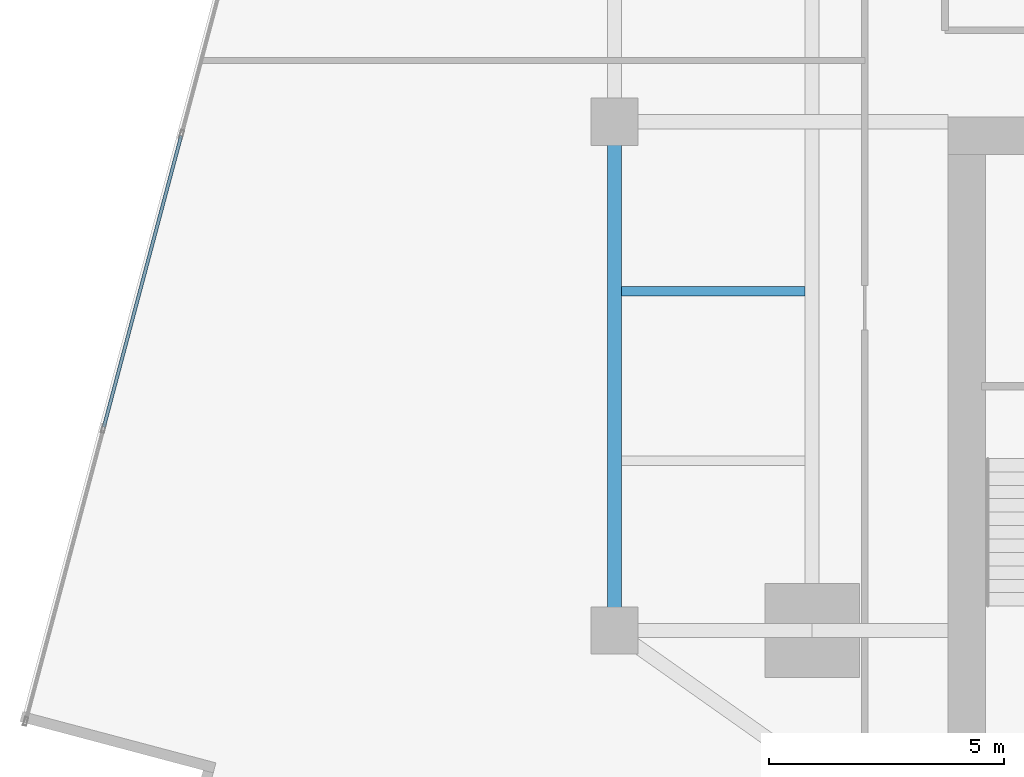
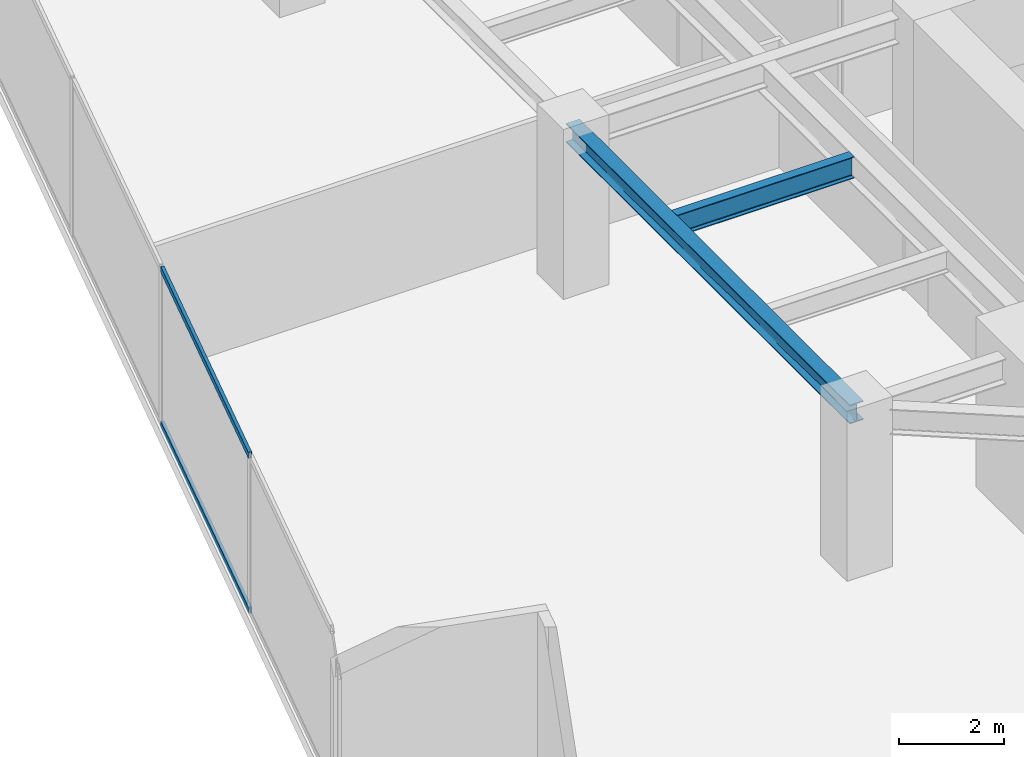
# One storey, part 7 of 27: 2 beams, 2 members, 1 element without a shape of its own.
"""IFC4 building model written with IfcOpenShell, lengths in metres."""

from ifc_helpers import new_model, si_unit, direction, frame, origin, origin_2d, place, context, subcontext, project, spatial, hollow_rectangle, i_section, extrude, source, transform, mapped, material, material_profile, profile_set, type_object, type_shapes, element, aggregate, save


model = new_model("IFC4")

# Units and contexts
model_context = context("Model", 3, precision=1e-05, world=origin(), true_north=direction((0.0, 1.0)))
body_context = subcontext(model_context, "Body", "Model", "MODEL_VIEW")
ifc_project = project(units=[si_unit("LENGTHUNIT", "METRE"), si_unit("AREAUNIT", "SQUARE_METRE"), si_unit("VOLUMEUNIT", "CUBIC_METRE"), si_unit("PLANEANGLEUNIT", "RADIAN"), si_unit("MASSUNIT", "GRAM", prefix="KILO")], contexts=[model_context])

# Site, building, storey
site_placement = place(None, origin())
site = spatial("IfcSite", under=ifc_project, at=site_placement, CompositionType="ELEMENT")
building_placement = place(site_placement, origin())
building = spatial("IfcBuilding", under=site, at=building_placement, Name="Krantzveldt Concourse Tower", CompositionType="ELEMENT")
storey_placement = place(building_placement, frame((0.0, 0.0, 97.949951171875)))
storey = spatial("IfcBuildingStorey", under=building, at=storey_placement, Name="L23", CompositionType="ELEMENT", Elevation=97.949951171875)

# Beams
ifc_material_1 = material(Name="Steel S355JR", Category="steel")
ifc_material_profile_1 = material_profile(ifc_material_1, i_section(OverallWidth=0.300048828125, OverallDepth=0.43994140625, WebThickness=0.011474609375, FlangeThickness=0.02099609375, FilletRadius=0.027099609375, at=origin_2d()), Name="Steel S355JR", Category="steel")
ifc_profile_set_1 = profile_set([ifc_material_profile_1], Name="Steel S355JR - HEA 450")
beam_type_1 = type_object("IfcBeamType", Name="BM-SP-HEA450", PredefinedType="SPANDREL", material=ifc_profile_set_1)
shared_shape_1 = source(origin(), body_context, "Body", "SweptSolid", [
    extrude(i_section(OverallWidth=0.300048828125, OverallDepth=0.43994140625, WebThickness=0.011474609375, FlangeThickness=0.02099609375, FilletRadius=0.027099609375, at=origin_2d()), origin(), (0.0, 0.0, 1.0), 10.800048828125),
])
type_shapes(beam_type_1, [shared_shape_1])
beam_1_placement = place(storey_placement, frame((21.0, 15.89990234375, 3.449951171875), z_axis=(0.0, 1.0, 0.0), x_axis=(-1.0, 0.0, 0.0)))
element("IfcBeam", 1, at=beam_1_placement, inside=storey, type_object=beam_type_1, Name="L23 Tower Girder SP-R01", PredefinedType="SPANDREL", context=body_context, shape_type="MappedRepresentation", body=[
    mapped(shared_shape_1, transform((0.0, 0.0, 0.0), x_axis=(1.0, 0.0, 0.0), y_axis=(0.0, 1.0, 0.0), z_axis=(0.0, 0.0, 1.0), scale=1.0)),
])
ifc_material_profile_2 = material_profile(ifc_material_1, i_section(OverallWidth=0.199951171875, OverallDepth=0.5, WebThickness=0.01025390625, FlangeThickness=0.01611328125, FilletRadius=0.02099609375, at=origin_2d()), Name="Steel S355JR", Category="steel")
ifc_profile_set_2 = profile_set([ifc_material_profile_2], Name="Steel S355JR - IPE 500")
beam_type_2 = type_object("IfcBeamType", Name="BM-J-IPE500", PredefinedType="JOIST", material=ifc_profile_set_2)
shared_shape_2 = source(origin(), body_context, "Body", "SweptSolid", [
    extrude(i_section(OverallWidth=0.199951171875, OverallDepth=0.5, WebThickness=0.01025390625, FlangeThickness=0.01611328125, FilletRadius=0.02099609375, at=origin_2d()), origin(), (0.0, 0.0, 1.0), 3.900146484375),
])
type_shapes(beam_type_2, [shared_shape_2])
beam_2_placement = place(storey_placement, frame((21.14990234375, 23.10009765625, 3.420166015625), z_axis=(1.0, 0.0, 0.0), x_axis=(0.0, 1.0, 0.0)))
element("IfcBeam", 2, at=beam_2_placement, inside=storey, type_object=beam_type_2, Name="L23 Secondary Floor Joist JW-2", PredefinedType="JOIST", context=body_context, shape_type="MappedRepresentation", body=[
    mapped(shared_shape_2, transform((0.0, 0.0, 0.0), x_axis=(1.0, 0.0, 0.0), y_axis=(0.0, 1.0, 0.0), z_axis=(0.0, 0.0, 1.0), scale=1.0)),
])

# Curtain wall, members
ifc_material_2 = material(Name="Anodised aluminium 6063-T6", Category="aluminium")
curtain_wall_type = type_object("IfcCurtainWallType", Name="CW2", PredefinedType="USERDEFINED", material=ifc_material_2)
curtain_wall_placement = place(storey_placement, origin())
curtain_wall = element("IfcCurtainWall", 3, at=curtain_wall_placement, inside=storey, type_object=curtain_wall_type, Name="CW-L23-F01", ObjectType="UNITISED CURTAIN WALL", PredefinedType="USERDEFINED")
ifc_material_profile_3 = material_profile(ifc_material_2, hollow_rectangle(XDim=0.070068359375, YDim=0.139892578125, WallThickness=0.0048828125, at=origin_2d()), Name="Anodised aluminium 6063-T6", Category="aluminium")
ifc_profile_set_3 = profile_set([ifc_material_profile_3], Name="Anodised aluminium 6063-T6 - ALU-TRAN 140x70x5")
member_type = type_object("IfcMemberType", Name="CW-TRN-150", PredefinedType="USERDEFINED", material=ifc_profile_set_3)
shared_shape_3 = source(origin(), body_context, "Body", "SweptSolid", [
    extrude(hollow_rectangle(XDim=0.070068359375, YDim=0.139892578125, WallThickness=0.0048828125, at=origin_2d()), origin(), (0.0, 0.0, 1.0), 6.396728515625),
])
type_shapes(member_type, [shared_shape_3])
member_1_placement = place(storey_placement, frame((11.802001953125, 26.400146484375, 0.03515625), z_axis=(-0.256707571528, -0.966489121884, 0.0), x_axis=(0.966489121884, -0.256707571528, 0.0)))
member_1 = element("IfcMember", 4, at=member_1_placement, type_object=member_type, Name="CW-Z12 transom 5.1", ObjectType="TRANSOM", PredefinedType="USERDEFINED", context=body_context, shape_type="MappedRepresentation", body=[
    mapped(shared_shape_3, transform((0.0, 0.0, 0.0), x_axis=(1.0, 0.0, 0.0), y_axis=(0.0, 1.0, 0.0), z_axis=(0.0, 0.0, 1.0), scale=1.0)),
])
member_2_placement = place(storey_placement, frame((11.802001953125, 26.400146484375, 3.635009765625), z_axis=(-0.256707571528, -0.966489121884, 0.0), x_axis=(0.966489121884, -0.256707571528, 0.0)))
member_2 = element("IfcMember", 5, at=member_2_placement, type_object=member_type, Name="CW-Z12 transom 5.2", ObjectType="TRANSOM", PredefinedType="USERDEFINED", context=body_context, shape_type="MappedRepresentation", body=[
    mapped(shared_shape_3, transform((0.0, 0.0, 0.0), x_axis=(1.0, 0.0, 0.0), y_axis=(0.0, 1.0, 0.0), z_axis=(0.0, 0.0, 1.0), scale=1.0)),
])
aggregate(curtain_wall, [member_1, member_2])

save(model, "model.ifc")
